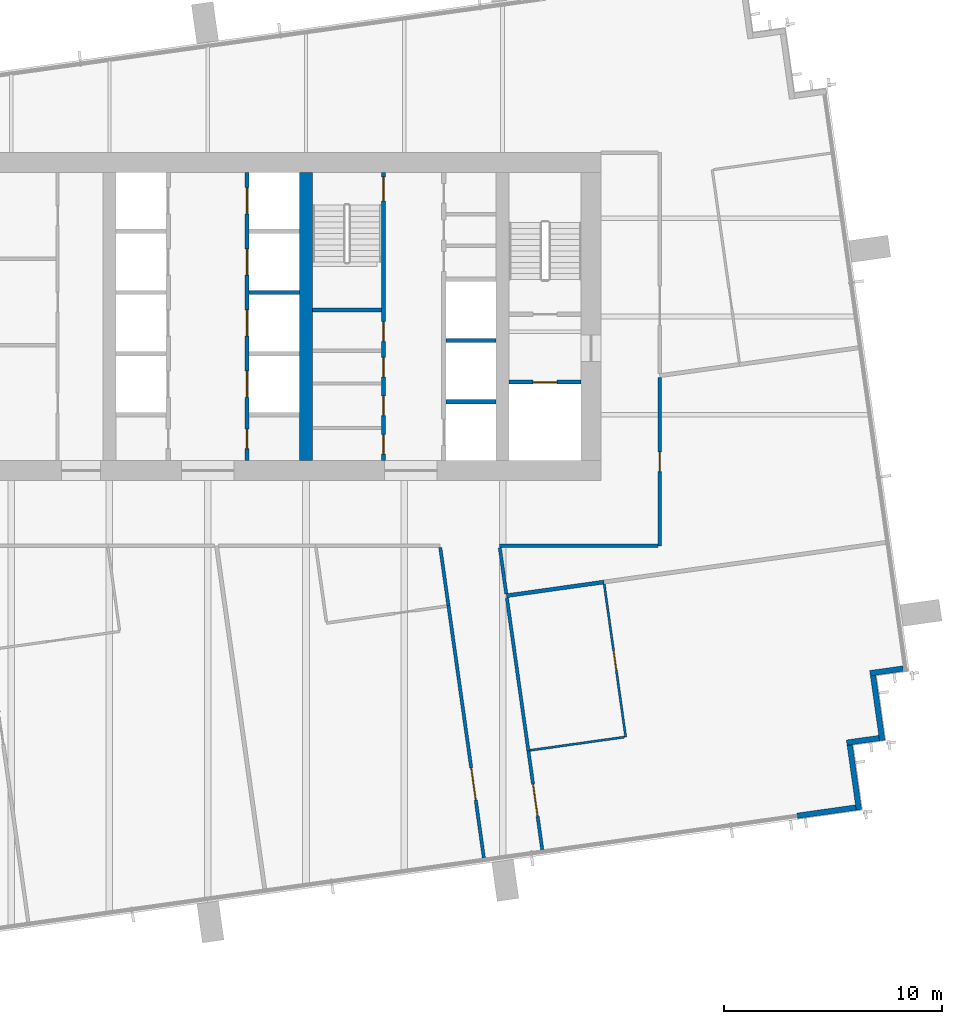
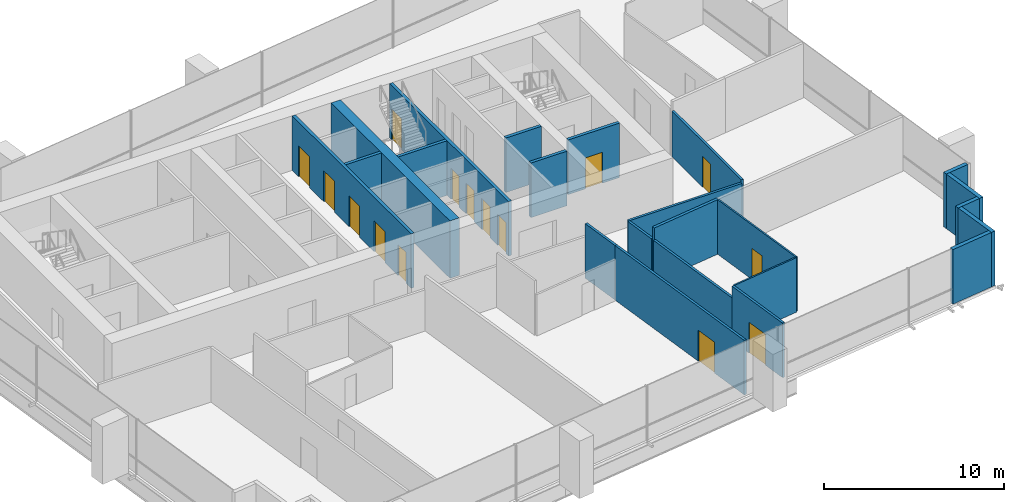
# One storey, part 10 of 13: 23 walls, 15 doors, 15 openings.
"""IFC4 building model written with IfcOpenShell, lengths in metres."""

from ifc_helpers import new_model, si_unit, direction, frame, frame_2d, origin, place, context, subcontext, project, spatial, rectangle, extrude, material, layer, layer_set, type_object, element, fill, save


model = new_model("IFC4")

# Units and contexts
model_context = context("Model", 3, precision=1e-05, world=origin(), true_north=direction((0.0, 1.0)))
body_context = subcontext(model_context, "Body", "Model", "MODEL_VIEW")
ifc_project = project(units=[si_unit("LENGTHUNIT", "METRE"), si_unit("AREAUNIT", "SQUARE_METRE"), si_unit("VOLUMEUNIT", "CUBIC_METRE"), si_unit("PLANEANGLEUNIT", "RADIAN"), si_unit("MASSUNIT", "GRAM", prefix="KILO")], contexts=[model_context])

# Site, building, storey
site_placement = place(None, origin())
site = spatial("IfcSite", under=ifc_project, at=site_placement, CompositionType="ELEMENT")
building_placement = place(site_placement, origin())
building = spatial("IfcBuilding", under=site, at=building_placement, Name="Rattan Terrace Tower", CompositionType="ELEMENT")
storey_placement = place(building_placement, frame((0.0, 0.0, 240.800048828125)))
storey = spatial("IfcBuildingStorey", under=building, at=storey_placement, Name="L55", CompositionType="ELEMENT", Elevation=240.800048828125)

# Wall, opening, door
ifc_material_1 = material(Name="Gypsum board partition")
ifc_layer_1 = layer(ifc_material_1, 0.199951171875)
ifc_layer_set_1 = layer_set([ifc_layer_1], Name="Core partition 200")
wall_type_1 = type_object("IfcWallType", Name="Core partition 200", PredefinedType="PARTITIONING", material=ifc_layer_set_1)
wall_1_placement = place(storey_placement, frame((13.800048828125, -3.0, 0.0), z_axis=(0.0, 0.0, 1.0), x_axis=(1.0, 0.0, 0.0)))
wall_1 = element("IfcWall", 1, at=wall_1_placement, inside=storey, type_object=wall_type_1, Name="Fire-fighting lobby wall", PredefinedType="PARTITIONING", context=body_context, shape_type="SweptSolid", body=[
    extrude(rectangle(XDim=3.300048828125, YDim=0.199951171875, at=frame_2d((1.64990234375, 0.0))), origin(), (0.0, 0.0, 1.0), 3.699951171875),
])
opening_1_placement = place(wall_1_placement, frame((1.10009765625, 0.0, 0.0)))
opening_1 = element("IfcOpeningElement", 2, at=opening_1_placement, cuts=wall_1, Name="Opening L55-LD-FF2", PredefinedType="OPENING", context=body_context, shape_type="SweptSolid", body=[
    extrude(rectangle(XDim=1.10009765625, YDim=2.10009765625, at=frame_2d((0.550048828125, 1.050048828125))), frame((0.0, 0.110595703125, 0.0), z_axis=(0.0, -1.0, 0.0), x_axis=(1.0, 0.0, 0.0)), (0.0, 0.0, 1.0), 0.220947265625),
])
ifc_material_2 = material(Name="Brushed stainless landing door panel")
door_type_1 = type_object("IfcDoorType", Name="Core lift landing door 1100", OperationType="DOUBLE_DOOR_SLIDING", PredefinedType="DOOR", material=ifc_material_2)
door_1_placement = place(opening_1_placement, origin())
door_1 = element("IfcDoor", 3, at=door_1_placement, inside=storey, type_object=door_type_1, Name="Door L55-LD-FF2", OperationType="DOUBLE_DOOR_SLIDING", OverallHeight=2.10009765625, OverallWidth=1.10009765625, PredefinedType="DOOR", context=body_context, shape_type="SweptSolid", body=[
    extrude(rectangle(XDim=1.10009765625, YDim=2.10009765625, at=frame_2d((0.550048828125, 1.050048828125))), frame((0.0, 0.02490234375, 0.0), z_axis=(0.0, -1.0, 0.0), x_axis=(1.0, 0.0, 0.0)), (0.0, 0.0, 1.0), 0.050048828125),
])
fill(opening_1, door_1)

# Wall, openings, doors
wall_2_placement = place(storey_placement, frame((8.050048828125, -6.60009765625, 0.0), z_axis=(0.0, 0.0, 1.0), x_axis=(0.0, 1.0, 0.0)))
wall_2 = element("IfcWall", 4, at=wall_2_placement, inside=storey, type_object=wall_type_1, Name="Lobby wall west", PredefinedType="PARTITIONING", context=body_context, shape_type="SweptSolid", body=[
    extrude(rectangle(XDim=13.2001953125, YDim=0.199951171875, at=frame_2d((6.60009765625, 0.0))), origin(), (0.0, 0.0, 1.0), 3.699951171875),
])
opening_2_placement = place(wall_2_placement, frame((0.298095703125, 0.0, 0.0)))
opening_2 = element("IfcOpeningElement", 5, at=opening_2_placement, cuts=wall_2, Name="Opening L55-D012", PredefinedType="OPENING", context=body_context, shape_type="SweptSolid", body=[
    extrude(rectangle(XDim=0.89990234375, YDim=2.10009765625, at=frame_2d((0.449951171875, 1.050048828125))), frame((0.0, 0.110595703125, 0.0), z_axis=(0.0, -1.0, 0.0), x_axis=(1.0, 0.0, 0.0)), (0.0, 0.0, 1.0), 0.220947265625),
])
opening_3_placement = place(wall_2_placement, frame((2.06591796875, 0.0, 0.0)))
opening_3 = element("IfcOpeningElement", 6, at=opening_3_placement, cuts=wall_2, Name="Opening L55-D013", PredefinedType="OPENING", context=body_context, shape_type="SweptSolid", body=[
    extrude(rectangle(XDim=0.89990234375, YDim=2.10009765625, at=frame_2d((0.449951171875, 1.050048828125))), frame((0.0, 0.110595703125, 0.0), z_axis=(0.0, -1.0, 0.0), x_axis=(1.0, 0.0, 0.0)), (0.0, 0.0, 1.0), 0.220947265625),
])
opening_4_placement = place(wall_2_placement, frame((3.833984375, 0.0, 0.0)))
opening_4 = element("IfcOpeningElement", 7, at=opening_4_placement, cuts=wall_2, Name="Opening L55-D014", PredefinedType="OPENING", context=body_context, shape_type="SweptSolid", body=[
    extrude(rectangle(XDim=0.89990234375, YDim=2.10009765625, at=frame_2d((0.449951171875, 1.050048828125))), frame((0.0, 0.110595703125, 0.0), z_axis=(0.0, -1.0, 0.0), x_axis=(1.0, 0.0, 0.0)), (0.0, 0.0, 1.0), 0.220947265625),
])
opening_5_placement = place(wall_2_placement, frame((5.466064453125, 0.0, 0.0)))
opening_5 = element("IfcOpeningElement", 8, at=opening_5_placement, cuts=wall_2, Name="Opening L55-D015", PredefinedType="OPENING", context=body_context, shape_type="SweptSolid", body=[
    extrude(rectangle(XDim=0.89990234375, YDim=2.10009765625, at=frame_2d((0.449951171875, 1.050048828125))), frame((0.0, 0.110595703125, 0.0), z_axis=(0.0, -1.0, 0.0), x_axis=(1.0, 0.0, 0.0)), (0.0, 0.0, 1.0), 0.220947265625),
])
opening_6_placement = place(wall_2_placement, frame((11.89990234375, 0.0, 0.0)))
opening_6 = element("IfcOpeningElement", 9, at=opening_6_placement, cuts=wall_2, Name="Opening L55-D016", PredefinedType="OPENING", context=body_context, shape_type="SweptSolid", body=[
    extrude(rectangle(XDim=1.10009765625, YDim=2.10009765625, at=frame_2d((0.550048828125, 1.050048828125))), frame((0.0, 0.110595703125, 0.0), z_axis=(0.0, -1.0, 0.0), x_axis=(1.0, 0.0, 0.0)), (0.0, 0.0, 1.0), 0.220947265625),
])
ifc_material_3 = material(Name="Hollow-metal fire door leaf")
door_type_2 = type_object("IfcDoorType", Name="Core service room door 900", OperationType="NOTDEFINED", PredefinedType="DOOR", material=ifc_material_3)
door_2_placement = place(opening_5_placement, origin())
door_2 = element("IfcDoor", 10, at=door_2_placement, inside=storey, type_object=door_type_2, Name="Door L55-D015", OperationType="SINGLE_SWING_LEFT", OverallHeight=2.10009765625, OverallWidth=0.89990234375, PredefinedType="DOOR", context=body_context, shape_type="SweptSolid", body=[
    extrude(rectangle(XDim=0.89990234375, YDim=2.10009765625, at=frame_2d((0.449951171875, 1.050048828125))), frame((0.0, 0.02490234375, 0.0), z_axis=(0.0, -1.0, 0.0), x_axis=(1.0, 0.0, 0.0)), (0.0, 0.0, 1.0), 0.050048828125),
])
fill(opening_5, door_2)
ifc_material_4 = material(Name="Hollow-metal fire door leaf")
door_type_3 = type_object("IfcDoorType", Name="Core stair door 1100", OperationType="NOTDEFINED", PredefinedType="DOOR", material=ifc_material_4)
door_3_placement = place(opening_6_placement, origin())
door_3 = element("IfcDoor", 11, at=door_3_placement, inside=storey, type_object=door_type_3, Name="Door L55-D016", OperationType="SINGLE_SWING_RIGHT", OverallHeight=2.10009765625, OverallWidth=1.10009765625, PredefinedType="DOOR", context=body_context, shape_type="SweptSolid", body=[
    extrude(rectangle(XDim=1.10009765625, YDim=2.10009765625, at=frame_2d((0.550048828125, 1.050048828125))), frame((0.0, 0.02490234375, 0.0), z_axis=(0.0, -1.0, 0.0), x_axis=(1.0, 0.0, 0.0)), (0.0, 0.0, 1.0), 0.050048828125),
])
fill(opening_6, door_3)
ifc_material_5 = material(Name="Hollow-metal fire door leaf")
door_type_4 = type_object("IfcDoorType", Name="Core toilet door 900", OperationType="NOTDEFINED", PredefinedType="DOOR", material=ifc_material_5)
door_4_placement = place(opening_2_placement, origin())
door_4 = element("IfcDoor", 12, at=door_4_placement, inside=storey, type_object=door_type_4, Name="Door L55-D012", OperationType="SINGLE_SWING_RIGHT", OverallHeight=2.10009765625, OverallWidth=0.89990234375, PredefinedType="DOOR", context=body_context, shape_type="SweptSolid", body=[
    extrude(rectangle(XDim=0.89990234375, YDim=2.10009765625, at=frame_2d((0.449951171875, 1.050048828125))), frame((0.0, 0.02490234375, 0.0), z_axis=(0.0, -1.0, 0.0), x_axis=(1.0, 0.0, 0.0)), (0.0, 0.0, 1.0), 0.050048828125),
])
fill(opening_2, door_4)
door_5_placement = place(opening_3_placement, origin())
door_5 = element("IfcDoor", 13, at=door_5_placement, inside=storey, type_object=door_type_4, Name="Door L55-D013", OperationType="SINGLE_SWING_LEFT", OverallHeight=2.10009765625, OverallWidth=0.89990234375, PredefinedType="DOOR", context=body_context, shape_type="SweptSolid", body=[
    extrude(rectangle(XDim=0.89990234375, YDim=2.10009765625, at=frame_2d((0.449951171875, 1.050048828125))), frame((0.0, 0.02490234375, 0.0), z_axis=(0.0, -1.0, 0.0), x_axis=(1.0, 0.0, 0.0)), (0.0, 0.0, 1.0), 0.050048828125),
])
fill(opening_3, door_5)
door_6_placement = place(opening_4_placement, origin())
door_6 = element("IfcDoor", 14, at=door_6_placement, inside=storey, type_object=door_type_4, Name="Door L55-D014", OperationType="SINGLE_SWING_RIGHT", OverallHeight=2.10009765625, OverallWidth=0.89990234375, PredefinedType="DOOR", context=body_context, shape_type="SweptSolid", body=[
    extrude(rectangle(XDim=0.89990234375, YDim=2.10009765625, at=frame_2d((0.449951171875, 1.050048828125))), frame((0.0, 0.02490234375, 0.0), z_axis=(0.0, -1.0, 0.0), x_axis=(1.0, 0.0, 0.0)), (0.0, 0.0, 1.0), 0.050048828125),
])
fill(opening_4, door_6)

# Walls
wall_3_placement = place(storey_placement, frame((4.800048828125, 0.300048828125, 0.0), z_axis=(0.0, 0.0, 1.0), x_axis=(1.0, 0.0, 0.0)))
element("IfcWall", 15, at=wall_3_placement, inside=storey, type_object=wall_type_1, Name="Stair enclosure wall", PredefinedType="PARTITIONING", context=body_context, shape_type="SweptSolid", body=[
    extrude(rectangle(XDim=3.14990234375, YDim=0.199951171875, at=frame_2d((1.574951171875, 0.0))), origin(), (0.0, 0.0, 1.0), 3.699951171875),
])
ifc_material_6 = material(Name="Concrete C50/60", Category="concrete")
ifc_layer_2 = layer(ifc_material_6, 0.60009765625)
ifc_layer_set_2 = layer_set([ifc_layer_2], Name="Core spine wall 600 C50/60")
wall_type_2 = type_object("IfcWallType", Name="Core spine wall 600 C50/60", PredefinedType="SHEAR", material=ifc_layer_set_2)
wall_4_placement = place(storey_placement, frame((4.5, -6.60009765625, -0.199951171875), z_axis=(0.0, 0.0, 1.0), x_axis=(0.0, 1.0, 0.0)))
element("IfcWall", 16, at=wall_4_placement, inside=storey, type_object=wall_type_2, Name="Core spine wall 3", PredefinedType="SHEAR", context=body_context, shape_type="SweptSolid", body=[
    extrude(rectangle(XDim=13.2001953125, YDim=0.60009765625, at=frame_2d((6.60009765625, 0.0))), origin(), (0.0, 0.0, 1.0), 3.89990234375),
])
ifc_material_7 = material(Name="Insulated aluminium-clad stud wall", Category="aluminium")
ifc_layer_3 = layer(ifc_material_7, 0.25)
ifc_layer_set_3 = layer_set([ifc_layer_3], Name="Facade Riser Wall 250")
wall_type_3 = type_object("IfcWallType", Name="Facade Riser Wall 250", PredefinedType="SOLIDWALL", material=ifc_layer_set_3)
wall_5_placement = place(storey_placement, frame((26.995361328125, -22.858642578125, 0.0), z_axis=(0.0, 0.0, 1.0), x_axis=(0.99024510326, 0.139336411139, 0.0)))
element("IfcWall", 17, at=wall_5_placement, inside=storey, type_object=wall_type_3, Name="Riser wall L55-1", PredefinedType="SOLIDWALL", context=body_context, shape_type="SweptSolid", body=[
    extrude(rectangle(XDim=2.705322265625, YDim=0.25, at=frame_2d((1.3525390625, 0.0))), origin(), (0.0, 0.0, 1.0), 3.699951171875),
])
wall_6_placement = place(storey_placement, frame((29.8154296875, -22.588134765625, 0.0), z_axis=(0.0, 0.0, 1.0), x_axis=(-0.138983028379, 0.9902947631, 0.0)))
element("IfcWall", 18, at=wall_6_placement, inside=storey, type_object=wall_type_3, Name="Riser wall L55-2", PredefinedType="SOLIDWALL", context=body_context, shape_type="SweptSolid", body=[
    extrude(rectangle(XDim=3.000244140625, YDim=0.25, at=frame_2d((1.5, 0.0))), origin(), (0.0, 0.0, 1.0), 3.699951171875),
])
wall_7_placement = place(storey_placement, frame((29.25732421875, -19.510498046875, 0.0), z_axis=(0.0, 0.0, 1.0), x_axis=(0.990330117064, 0.138730887823, 0.0)))
element("IfcWall", 19, at=wall_7_placement, inside=storey, type_object=wall_type_3, Name="Riser wall L55-3", PredefinedType="SOLIDWALL", context=body_context, shape_type="SweptSolid", body=[
    extrude(rectangle(XDim=1.499267578125, YDim=0.25, at=frame_2d((0.74951171875, 0.0))), origin(), (0.0, 0.0, 1.0), 3.699951171875),
])
wall_8_placement = place(storey_placement, frame((30.88330078125, -19.408935546875, 0.0), z_axis=(0.0, 0.0, 1.0), x_axis=(-0.139324658755, 0.990246756855, 0.0)))
element("IfcWall", 20, at=wall_8_placement, inside=storey, type_object=wall_type_3, Name="Riser wall L55-4", PredefinedType="SOLIDWALL", context=body_context, shape_type="SweptSolid", body=[
    extrude(rectangle(XDim=3.0, YDim=0.25, at=frame_2d((1.5, 0.0))), origin(), (0.0, 0.0, 1.0), 3.699951171875),
])
wall_9_placement = place(storey_placement, frame((30.32421875, -16.331787109375, 0.0), z_axis=(0.0, 0.0, 1.0), x_axis=(0.990238641016, 0.139382329723, 0.0)))
element("IfcWall", 21, at=wall_9_placement, inside=storey, type_object=wall_type_3, Name="Riser wall L55-5", PredefinedType="SOLIDWALL", context=body_context, shape_type="SweptSolid", body=[
    extrude(rectangle(XDim=1.525634765625, YDim=0.25, at=frame_2d((0.7626953125, 0.0))), origin(), (0.0, 0.0, 1.0), 3.699951171875),
])
ifc_material_8 = material(Name="Double steel stud acoustic partition, gypsum board, mineral wool, fire rated", Category="steel")
ifc_layer_4 = layer(ifc_material_8, 0.179931640625)
ifc_layer_set_4 = layer_set([ifc_layer_4], Name="Floors Acoustic Party Wall 180")
wall_type_4 = type_object("IfcWallType", Name="Floors Acoustic Party Wall 180", PredefinedType="PARTITIONING", material=ifc_layer_set_4)
wall_10_placement = place(storey_placement, frame((13.68505859375, -12.782958984375, 0.0), z_axis=(0.0, 0.0, 1.0), x_axis=(0.99027667576, 0.139111845094, 0.0)))
element("IfcWall", 22, at=wall_10_placement, inside=storey, type_object=wall_type_4, Name="pt-L55-023", PredefinedType="PARTITIONING", context=body_context, shape_type="SweptSolid", body=[
    extrude(rectangle(XDim=4.499755859375, YDim=0.179931640625, at=frame_2d((2.25, 0.0))), origin(), (0.0, 0.0, 1.0), 3.699951171875),
])
ifc_material_9 = material(Name="Gypsum board partition on steel studs", Category="steel")
ifc_layer_5 = layer(ifc_material_9, 0.10009765625)
ifc_layer_set_5 = layer_set([ifc_layer_5], Name="Floors Partition 100")
wall_type_5 = type_object("IfcWallType", Name="Floors Partition 100", PredefinedType="PARTITIONING", material=ifc_layer_set_5)
wall_11_placement = place(storey_placement, frame((14.7548828125, -19.863037109375, 0.0), z_axis=(0.0, 0.0, 1.0), x_axis=(0.990258502699, 0.139241149923, 0.0)))
element("IfcWall", 23, at=wall_11_placement, inside=storey, type_object=wall_type_5, Name="pt-L55-020", PredefinedType="PARTITIONING", context=body_context, shape_type="SweptSolid", body=[
    extrude(rectangle(XDim=4.374755859375, YDim=0.10009765625, at=frame_2d((2.1875, 0.0))), origin(), (0.0, 0.0, 1.0), 3.699951171875),
])

# Wall, opening, door
wall_12_placement = place(storey_placement, frame((19.136962890625, -19.2470703125, 0.0), z_axis=(0.0, 0.0, 1.0), x_axis=(-0.139168056016, 0.990268777749, 0.0)))
wall_12 = element("IfcWall", 24, at=wall_12_placement, inside=storey, type_object=wall_type_5, Name="pt-L55-021", PredefinedType="PARTITIONING", context=body_context, shape_type="SweptSolid", body=[
    extrude(rectangle(XDim=7.06982421875, YDim=0.10009765625, at=frame_2d((3.534912109375, 0.0))), origin(), (0.0, 0.0, 1.0), 3.699951171875),
])
opening_7_placement = place(wall_12_placement, frame((3.0849609375, 0.0, 0.0)))
opening_7 = element("IfcOpeningElement", 25, at=opening_7_placement, cuts=wall_12, Name="Opening L55-D102", PredefinedType="OPENING", context=body_context, shape_type="SweptSolid", body=[
    extrude(rectangle(XDim=0.89990234375, YDim=2.10009765625, at=frame_2d((0.449951171875, 1.050048828125))), frame((0.0, 0.060546875, 0.0), z_axis=(0.0, -1.0, 0.0), x_axis=(1.0, 0.0, 0.0)), (0.0, 0.0, 1.0), 0.12109375),
])
ifc_material_10 = material(Name="Solid core timber door, painted", Category="wood")
door_type_5 = type_object("IfcDoorType", Name="Floors Door 900x2100", OperationType="NOTDEFINED", PredefinedType="DOOR", material=ifc_material_10)
door_7_placement = place(opening_7_placement, origin())
door_7 = element("IfcDoor", 26, at=door_7_placement, inside=storey, type_object=door_type_5, Name="d-L55-102", OperationType="SINGLE_SWING_LEFT", OverallHeight=2.10009765625, OverallWidth=0.89990234375, PredefinedType="DOOR", context=body_context, shape_type="SweptSolid", body=[
    extrude(rectangle(XDim=0.89990234375, YDim=2.10009765625, at=frame_2d((0.449951171875, 1.050048828125))), frame((0.0, 0.02490234375, 0.0), z_axis=(0.0, -1.0, 0.0), x_axis=(1.0, 0.0, 0.0)), (0.0, 0.0, 1.0), 0.050048828125),
])
fill(opening_7, door_7)

ifc_material_11 = material(Name="Gypsum board partition on steel studs, fire rated", Category="steel")
ifc_layer_6 = layer(ifc_material_11, 0.14990234375)
ifc_layer_set_6 = layer_set([ifc_layer_6], Name="Floors Tenancy Wall 150")
wall_type_6 = type_object("IfcWallType", Name="Floors Tenancy Wall 150", PredefinedType="PARTITIONING", material=ifc_layer_set_6)
wall_13_placement = place(storey_placement, frame((14.68310546875, -19.89306640625, 0.0), z_axis=(0.0, 0.0, 1.0), x_axis=(0.139247448871, -0.990257616978, 0.0)))
wall_13 = element("IfcWall", 27, at=wall_13_placement, inside=storey, type_object=wall_type_6, Name="pt-L55-004", PredefinedType="PARTITIONING", context=body_context, shape_type="SweptSolid", body=[
    extrude(rectangle(XDim=4.560302734375, YDim=0.14990234375, at=frame_2d((2.2802734375, 0.0))), origin(), (0.0, 0.0, 1.0), 3.699951171875),
])
opening_8_placement = place(wall_13_placement, frame((1.530029296875, 0.0, 0.0)))
opening_8 = element("IfcOpeningElement", 28, at=opening_8_placement, cuts=wall_13, Name="Opening L55-D101", PredefinedType="OPENING", context=body_context, shape_type="SweptSolid", body=[
    extrude(rectangle(XDim=1.5, YDim=2.10009765625, at=frame_2d((0.75, 1.050048828125))), frame((0.0, 0.08544921875, 0.0), z_axis=(0.0, -1.0, 0.0), x_axis=(1.0, 0.0, 0.0)), (0.0, 0.0, 1.0), 0.1708984375),
])
ifc_material_12 = material(Name="Steel fire door set", Category="steel")
door_type_6 = type_object("IfcDoorType", Name="Floors Unit Door Pair FD30S 1500x2100", OperationType="NOTDEFINED", PredefinedType="DOOR", material=ifc_material_12)
door_8_placement = place(opening_8_placement, origin())
door_8 = element("IfcDoor", 29, at=door_8_placement, inside=storey, type_object=door_type_6, Name="d-L55-101", OperationType="DOUBLE_DOOR_SINGLE_SWING", OverallHeight=2.10009765625, OverallWidth=1.5, PredefinedType="DOOR", context=body_context, shape_type="SweptSolid", body=[
    extrude(rectangle(XDim=1.5, YDim=2.10009765625, at=frame_2d((0.75, 1.050048828125))), frame((0.0, 0.02490234375, 0.0), z_axis=(0.0, -1.0, 0.0), x_axis=(1.0, 0.0, 0.0)), (0.0, 0.0, 1.0), 0.050048828125),
])
fill(opening_8, door_8)

# Walls
wall_14_placement = place(storey_placement, frame((13.696044921875, -12.8720703125, 0.0), z_axis=(0.0, 0.0, 1.0), x_axis=(0.139217899128, -0.990261771736, 0.0)))
element("IfcWall", 30, at=wall_14_placement, inside=storey, type_object=wall_type_6, Name="pt-L55-005", PredefinedType="PARTITIONING", context=body_context, shape_type="SweptSolid", body=[
    extrude(rectangle(XDim=7.090087890625, YDim=0.14990234375, at=frame_2d((3.544921875, 0.0))), origin(), (0.0, 0.0, 1.0), 2.89990234375),
])
wall_15_placement = place(storey_placement, frame((13.3740234375, -10.5859375, 0.0), z_axis=(0.0, 0.0, 1.0), x_axis=(0.13899652087, -0.990292869401, 0.0)))
element("IfcWall", 31, at=wall_15_placement, inside=storey, type_object=wall_type_6, Name="pt-L55-006", PredefinedType="PARTITIONING", context=body_context, shape_type="SweptSolid", body=[
    extrude(rectangle(XDim=2.12890625, YDim=0.14990234375, at=frame_2d((1.064453125, 0.0))), origin(), (0.0, 0.0, 1.0), 2.89990234375),
])
wall_16_placement = place(storey_placement, frame((20.625, -10.5, 0.0), z_axis=(0.0, 0.0, 1.0), x_axis=(-1.0, 0.0, 0.0)))
element("IfcWall", 32, at=wall_16_placement, inside=storey, type_object=wall_type_6, Name="pt-L55-007", PredefinedType="PARTITIONING", context=body_context, shape_type="SweptSolid", body=[
    extrude(rectangle(XDim=7.261962890625, YDim=0.14990234375, at=frame_2d((3.630859375, 0.0))), origin(), (0.0, 0.0, 1.0), 2.89990234375),
])

# Wall, opening, door
wall_17_placement = place(storey_placement, frame((20.699951171875, -2.797119140625, 0.0), z_axis=(0.0, 0.0, 1.0), x_axis=(0.0, -1.0, 0.0)))
wall_17 = element("IfcWall", 33, at=wall_17_placement, inside=storey, type_object=wall_type_6, Name="pt-L55-008", PredefinedType="PARTITIONING", context=body_context, shape_type="SweptSolid", body=[
    extrude(rectangle(XDim=7.702880859375, YDim=0.14990234375, at=frame_2d((3.8515625, 0.0))), origin(), (0.0, 0.0, 1.0), 3.099853515625),
])
opening_9_placement = place(wall_17_placement, frame((3.40087890625, 0.0, 0.0)))
opening_9 = element("IfcOpeningElement", 34, at=opening_9_placement, cuts=wall_17, Name="Opening L55-D103", PredefinedType="OPENING", context=body_context, shape_type="SweptSolid", body=[
    extrude(rectangle(XDim=0.89990234375, YDim=2.10009765625, at=frame_2d((0.449951171875, 1.050048828125))), frame((0.0, 0.08544921875, 0.0), z_axis=(0.0, -1.0, 0.0), x_axis=(1.0, 0.0, 0.0)), (0.0, 0.0, 1.0), 0.1708984375),
])
ifc_material_13 = material(Name="Steel fire door set", Category="steel")
door_type_7 = type_object("IfcDoorType", Name="Floors Fire Door FD30S 900x2100", OperationType="NOTDEFINED", PredefinedType="DOOR", material=ifc_material_13)
door_9_placement = place(opening_9_placement, origin())
door_9 = element("IfcDoor", 35, at=door_9_placement, inside=storey, type_object=door_type_7, Name="d-L55-103", OperationType="SINGLE_SWING_RIGHT", OverallHeight=2.10009765625, OverallWidth=0.89990234375, PredefinedType="DOOR", context=body_context, shape_type="SweptSolid", body=[
    extrude(rectangle(XDim=0.89990234375, YDim=2.10009765625, at=frame_2d((0.449951171875, 1.050048828125))), frame((0.0, 0.02490234375, 0.0), z_axis=(0.0, -1.0, 0.0), x_axis=(1.0, 0.0, 0.0)), (0.0, 0.0, 1.0), 0.050048828125),
])
fill(opening_9, door_9)

wall_18_placement = place(storey_placement, frame((12.64404296875, -24.784912109375, 0.0), z_axis=(0.0, 0.0, 1.0), x_axis=(-0.139086535292, 0.990280230894, 0.0)))
wall_18 = element("IfcWall", 36, at=wall_18_placement, inside=storey, type_object=wall_type_6, Name="pt-L55-017", PredefinedType="PARTITIONING", context=body_context, shape_type="SweptSolid", body=[
    extrude(rectangle(XDim=11.66943359375, YDim=0.14990234375, at=frame_2d((5.834716796875, 0.0))), origin(), (0.0, 0.0, 1.0), 3.699951171875),
])
opening_10_placement = place(wall_18_placement, frame((2.6669921875, 0.0, 0.0)))
opening_10 = element("IfcOpeningElement", 37, at=opening_10_placement, cuts=wall_18, Name="Opening L55-D108", PredefinedType="OPENING", context=body_context, shape_type="SweptSolid", body=[
    extrude(rectangle(XDim=1.5, YDim=2.10009765625, at=frame_2d((0.75, 1.050048828125))), frame((0.0, 0.08544921875, 0.0), z_axis=(0.0, -1.0, 0.0), x_axis=(1.0, 0.0, 0.0)), (0.0, 0.0, 1.0), 0.1708984375),
])
door_10_placement = place(opening_10_placement, origin())
door_10 = element("IfcDoor", 38, at=door_10_placement, inside=storey, type_object=door_type_6, Name="d-L55-108", OperationType="DOUBLE_DOOR_SINGLE_SWING", OverallHeight=2.10009765625, OverallWidth=1.5, PredefinedType="DOOR", context=body_context, shape_type="SweptSolid", body=[
    extrude(rectangle(XDim=1.5, YDim=2.10009765625, at=frame_2d((0.75, 1.050048828125))), frame((0.0, 0.02490234375, 0.0), z_axis=(0.0, -1.0, 0.0), x_axis=(1.0, 0.0, 0.0)), (0.0, 0.0, 1.0), 0.050048828125),
])
fill(opening_10, door_10)

# Wall
wall_19_placement = place(storey_placement, frame((11.02099609375, -13.22802734375, 0.0), z_axis=(0.0, 0.0, 1.0), x_axis=(-0.139139027609, 0.990272856841, 0.0)))
element("IfcWall", 39, at=wall_19_placement, inside=storey, type_object=wall_type_6, Name="pt-L55-019", PredefinedType="PARTITIONING", context=body_context, shape_type="SweptSolid", body=[
    extrude(rectangle(XDim=2.68115234375, YDim=0.14990234375, at=frame_2d((1.340576171875, 0.0))), origin(), (0.0, 0.0, 1.0), 3.699951171875),
])

# Wall, openings, doors
ifc_material_14 = material(Name="Gypsum shaft wall system")
ifc_layer_7 = layer(ifc_material_14, 0.199951171875)
ifc_layer_set_7 = layer_set([ifc_layer_7], Name="Lift shaft wall 200")
wall_type_7 = type_object("IfcWallType", Name="Lift shaft wall 200", PredefinedType="PARTITIONING", material=ifc_layer_set_7)
wall_20_placement = place(storey_placement, frame((1.800048828125, -6.60009765625, 0.0), z_axis=(0.0, 0.0, 1.0), x_axis=(0.0, 1.0, 0.0)))
wall_20 = element("IfcWall", 40, at=wall_20_placement, inside=storey, type_object=wall_type_7, Name="Lift shaft front wall", PredefinedType="PARTITIONING", context=body_context, shape_type="SweptSolid", body=[
    extrude(rectangle(XDim=13.2001953125, YDim=0.199951171875, at=frame_2d((6.60009765625, 0.0))), origin(), (0.0, 0.0, 1.0), 3.699951171875),
])
opening_11_placement = place(wall_20_placement, frame((0.550048828125, 0.0, 0.0)))
opening_11 = element("IfcOpeningElement", 41, at=opening_11_placement, cuts=wall_20, Name="Opening L55-D010", PredefinedType="OPENING", context=body_context, shape_type="SweptSolid", body=[
    extrude(rectangle(XDim=0.89990234375, YDim=2.10009765625, at=frame_2d((0.449951171875, 1.050048828125))), frame((0.0, 0.110595703125, 0.0), z_axis=(0.0, -1.0, 0.0), x_axis=(1.0, 0.0, 0.0)), (0.0, 0.0, 1.0), 0.220947265625),
])
opening_12_placement = place(wall_20_placement, frame((2.89990234375, 0.0, 0.0)))
opening_12 = element("IfcOpeningElement", 42, at=opening_12_placement, cuts=wall_20, Name="Opening L55-LD-HR5", PredefinedType="OPENING", context=body_context, shape_type="SweptSolid", body=[
    extrude(rectangle(XDim=1.199951171875, YDim=2.10009765625, at=frame_2d((0.60009765625, 1.050048828125))), frame((0.0, 0.110595703125, 0.0), z_axis=(0.0, -1.0, 0.0), x_axis=(1.0, 0.0, 0.0)), (0.0, 0.0, 1.0), 0.220947265625),
])
opening_13_placement = place(wall_20_placement, frame((5.699951171875, 0.0, 0.0)))
opening_13 = element("IfcOpeningElement", 43, at=opening_13_placement, cuts=wall_20, Name="Opening L55-LD-HR6", PredefinedType="OPENING", context=body_context, shape_type="SweptSolid", body=[
    extrude(rectangle(XDim=1.199951171875, YDim=2.10009765625, at=frame_2d((0.60009765625, 1.050048828125))), frame((0.0, 0.110595703125, 0.0), z_axis=(0.0, -1.0, 0.0), x_axis=(1.0, 0.0, 0.0)), (0.0, 0.0, 1.0), 0.220947265625),
])
opening_14_placement = place(wall_20_placement, frame((8.5, 0.0, 0.0)))
opening_14 = element("IfcOpeningElement", 44, at=opening_14_placement, cuts=wall_20, Name="Opening L55-LD-HR7", PredefinedType="OPENING", context=body_context, shape_type="SweptSolid", body=[
    extrude(rectangle(XDim=1.199951171875, YDim=2.10009765625, at=frame_2d((0.60009765625, 1.050048828125))), frame((0.0, 0.110595703125, 0.0), z_axis=(0.0, -1.0, 0.0), x_axis=(1.0, 0.0, 0.0)), (0.0, 0.0, 1.0), 0.220947265625),
])
opening_15_placement = place(wall_20_placement, frame((11.300048828125, 0.0, 0.0)))
opening_15 = element("IfcOpeningElement", 45, at=opening_15_placement, cuts=wall_20, Name="Opening L55-LD-HR8", PredefinedType="OPENING", context=body_context, shape_type="SweptSolid", body=[
    extrude(rectangle(XDim=1.199951171875, YDim=2.10009765625, at=frame_2d((0.60009765625, 1.050048828125))), frame((0.0, 0.110595703125, 0.0), z_axis=(0.0, -1.0, 0.0), x_axis=(1.0, 0.0, 0.0)), (0.0, 0.0, 1.0), 0.220947265625),
])
ifc_material_15 = material(Name="Brushed stainless landing door panel")
door_type_8 = type_object("IfcDoorType", Name="Core lift landing door 1200", OperationType="DOUBLE_DOOR_SLIDING", PredefinedType="DOOR", material=ifc_material_15)
door_11_placement = place(opening_12_placement, origin())
door_11 = element("IfcDoor", 46, at=door_11_placement, inside=storey, type_object=door_type_8, Name="Door L55-LD-HR5", OperationType="DOUBLE_DOOR_SLIDING", OverallHeight=2.10009765625, OverallWidth=1.199951171875, PredefinedType="DOOR", context=body_context, shape_type="SweptSolid", body=[
    extrude(rectangle(XDim=1.199951171875, YDim=2.10009765625, at=frame_2d((0.60009765625, 1.050048828125))), frame((0.0, 0.02490234375, 0.0), z_axis=(0.0, -1.0, 0.0), x_axis=(1.0, 0.0, 0.0)), (0.0, 0.0, 1.0), 0.050048828125),
])
fill(opening_12, door_11)
door_12_placement = place(opening_13_placement, origin())
door_12 = element("IfcDoor", 47, at=door_12_placement, inside=storey, type_object=door_type_8, Name="Door L55-LD-HR6", OperationType="DOUBLE_DOOR_SLIDING", OverallHeight=2.10009765625, OverallWidth=1.199951171875, PredefinedType="DOOR", context=body_context, shape_type="SweptSolid", body=[
    extrude(rectangle(XDim=1.199951171875, YDim=2.10009765625, at=frame_2d((0.60009765625, 1.050048828125))), frame((0.0, 0.02490234375, 0.0), z_axis=(0.0, -1.0, 0.0), x_axis=(1.0, 0.0, 0.0)), (0.0, 0.0, 1.0), 0.050048828125),
])
fill(opening_13, door_12)
door_13_placement = place(opening_14_placement, origin())
door_13 = element("IfcDoor", 48, at=door_13_placement, inside=storey, type_object=door_type_8, Name="Door L55-LD-HR7", OperationType="DOUBLE_DOOR_SLIDING", OverallHeight=2.10009765625, OverallWidth=1.199951171875, PredefinedType="DOOR", context=body_context, shape_type="SweptSolid", body=[
    extrude(rectangle(XDim=1.199951171875, YDim=2.10009765625, at=frame_2d((0.60009765625, 1.050048828125))), frame((0.0, 0.02490234375, 0.0), z_axis=(0.0, -1.0, 0.0), x_axis=(1.0, 0.0, 0.0)), (0.0, 0.0, 1.0), 0.050048828125),
])
fill(opening_14, door_13)
door_14_placement = place(opening_15_placement, origin())
door_14 = element("IfcDoor", 49, at=door_14_placement, inside=storey, type_object=door_type_8, Name="Door L55-LD-HR8", OperationType="DOUBLE_DOOR_SLIDING", OverallHeight=2.10009765625, OverallWidth=1.199951171875, PredefinedType="DOOR", context=body_context, shape_type="SweptSolid", body=[
    extrude(rectangle(XDim=1.199951171875, YDim=2.10009765625, at=frame_2d((0.60009765625, 1.050048828125))), frame((0.0, 0.02490234375, 0.0), z_axis=(0.0, -1.0, 0.0), x_axis=(1.0, 0.0, 0.0)), (0.0, 0.0, 1.0), 0.050048828125),
])
fill(opening_15, door_14)
ifc_material_16 = material(Name="Hollow-metal fire door leaf")
door_type_9 = type_object("IfcDoorType", Name="Core riser door 900", OperationType="NOTDEFINED", PredefinedType="DOOR", material=ifc_material_16)
door_15_placement = place(opening_11_placement, origin())
door_15 = element("IfcDoor", 50, at=door_15_placement, inside=storey, type_object=door_type_9, Name="Door L55-D010", OperationType="SINGLE_SWING_LEFT", OverallHeight=2.10009765625, OverallWidth=0.89990234375, PredefinedType="DOOR", context=body_context, shape_type="SweptSolid", body=[
    extrude(rectangle(XDim=0.89990234375, YDim=2.10009765625, at=frame_2d((0.449951171875, 1.050048828125))), frame((0.0, 0.02490234375, 0.0), z_axis=(0.0, -1.0, 0.0), x_axis=(1.0, 0.0, 0.0)), (0.0, 0.0, 1.0), 0.050048828125),
])
fill(opening_11, door_15)

# Walls
for number, where, z_axis, x_axis, name in (
    (51, (1.89990234375, 1.10009765625, 0.0), (0.0, 0.0, 1.0), (1.0, 0.0, 0.0), "Lift shaft wall"),
    (52, (10.89990234375, -3.89990234375, 0.0), (0.0, 0.0, 1.0), (1.0, 0.0, 0.0), "Lift shaft wall"),
    (53, (10.89990234375, -1.10009765625, 0.0), (0.0, 0.0, 1.0), (1.0, 0.0, 0.0), "Lift shaft wall"),
):
    element("IfcWall", number, at=place(storey_placement, frame(where, z_axis=z_axis, x_axis=x_axis)), inside=storey, type_object=wall_type_7, Name=name, PredefinedType="PARTITIONING", context=body_context, shape_type="SweptSolid", body=[
        extrude(rectangle(XDim=2.300048828125, YDim=0.199951171875, at=frame_2d((1.14990234375, 0.0))), origin(), (0.0, 0.0, 1.0), 3.699951171875),
    ])

save(model, "model.ifc")
